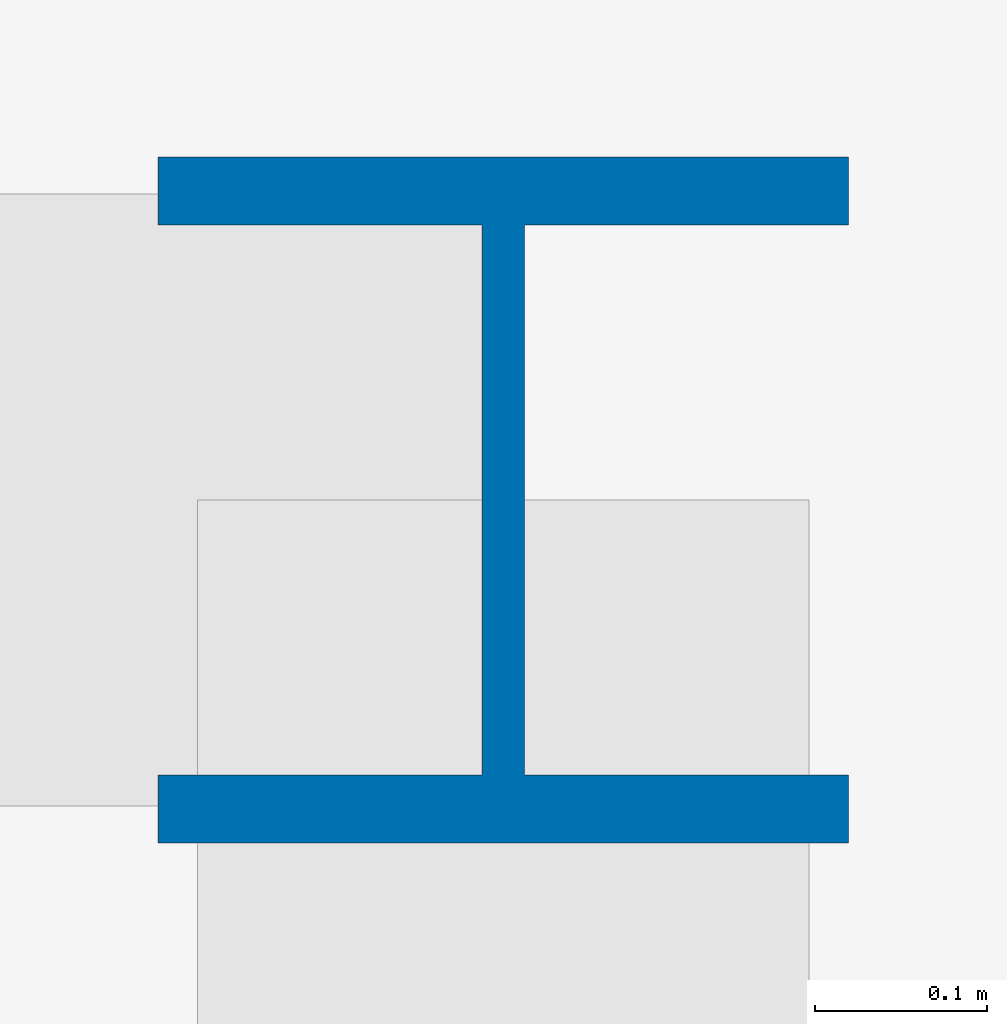
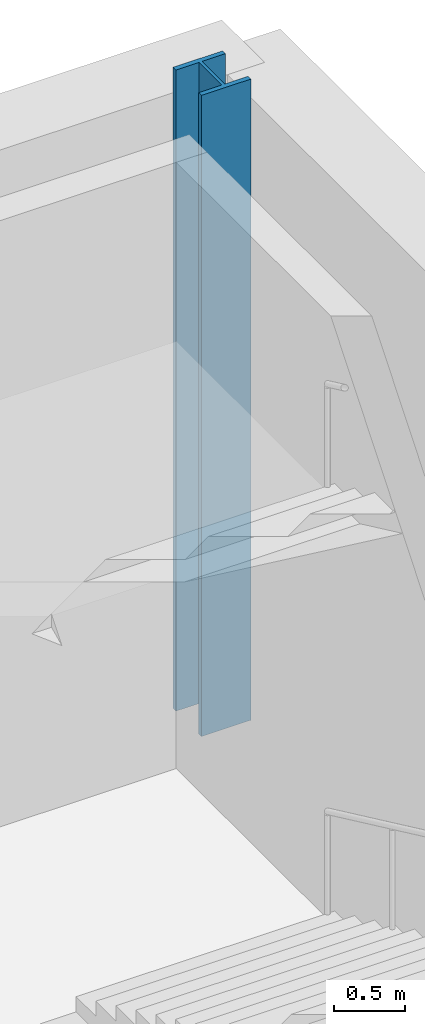
# One storey, part 5 of 27: 1 column.
"""IFC4 building model written with IfcOpenShell, lengths in metres."""

from ifc_helpers import new_model, si_unit, direction, frame, origin, origin_2d, place, context, subcontext, project, spatial, i_section, extrude, material, material_profile, profile_set, type_object, element, save


model = new_model("IFC4")

# Units and contexts
model_context = context("Model", 3, precision=1e-05, world=origin(), true_north=direction((0.0, 1.0)))
body_context = subcontext(model_context, "Body", "Model", "MODEL_VIEW")
ifc_project = project(units=[si_unit("LENGTHUNIT", "METRE"), si_unit("AREAUNIT", "SQUARE_METRE"), si_unit("VOLUMEUNIT", "CUBIC_METRE"), si_unit("PLANEANGLEUNIT", "RADIAN"), si_unit("MASSUNIT", "GRAM", prefix="KILO")], contexts=[model_context])

# Site, building, storey
site_placement = place(None, origin())
site = spatial("IfcSite", under=ifc_project, at=site_placement, CompositionType="ELEMENT")
building_placement = place(site_placement, origin())
building = spatial("IfcBuilding", under=site, at=building_placement, Name="Loomwork Tower", CompositionType="ELEMENT")
storey_placement = place(building_placement, frame((0.0, 0.0, -5.5)))
storey = spatial("IfcBuildingStorey", under=building, at=storey_placement, Name="B1", CompositionType="ELEMENT", Elevation=-5.5)

# Column
ifc_material = material(Name="Steel ASTM A992", Category="steel")
ifc_material_profile = material_profile(ifc_material, i_section(OverallWidth=0.4013671875, OverallDepth=0.398681640625, WebThickness=0.02490234375, FlangeThickness=0.03955078125, at=origin_2d()), Name="W14x211")
ifc_profile_set = profile_set([ifc_material_profile], Name="Steel ASTM A992")
column_type = type_object("IfcColumnType", Name="PODIUM COLUMN W14x211", PredefinedType="COLUMN", material=ifc_profile_set)
column_placement = place(storey_placement, frame((63.0, 45.0, 0.0), z_axis=(0.0, 0.0, 1.0), x_axis=(1.0, 0.0, 0.0)))
element("IfcColumn", 1, at=column_placement, inside=storey, type_object=column_type, Name="Podium Column J/9 B1", PredefinedType="COLUMN", context=body_context, shape_type="SweptSolid", body=[
    extrude(i_section(OverallWidth=0.4013671875, OverallDepth=0.398681640625, WebThickness=0.02490234375, FlangeThickness=0.03955078125, at=origin_2d()), origin(), (0.0, 0.0, 1.0), 5.5),
])

save(model, "model.ifc")
